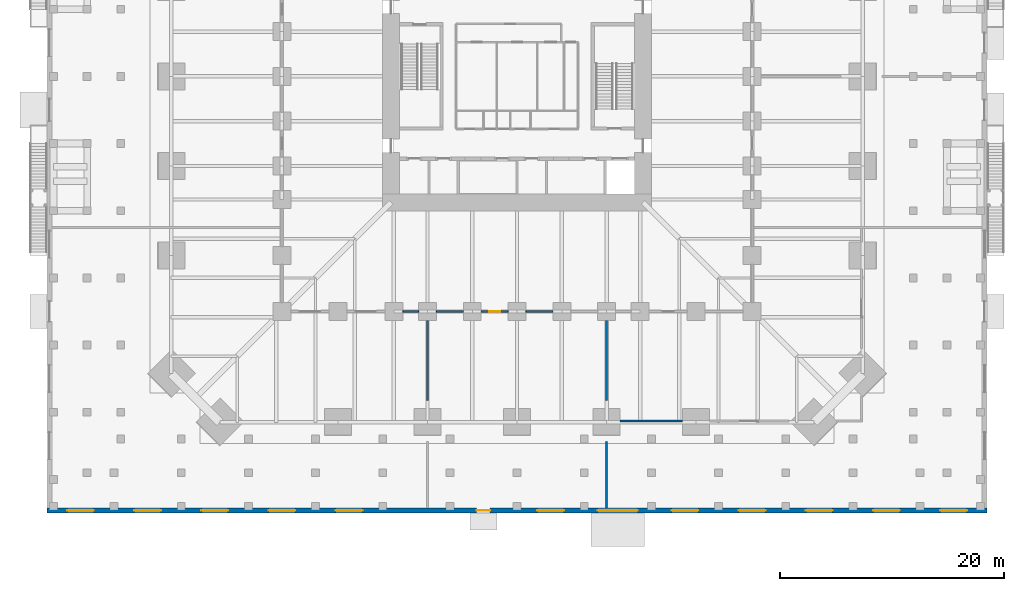
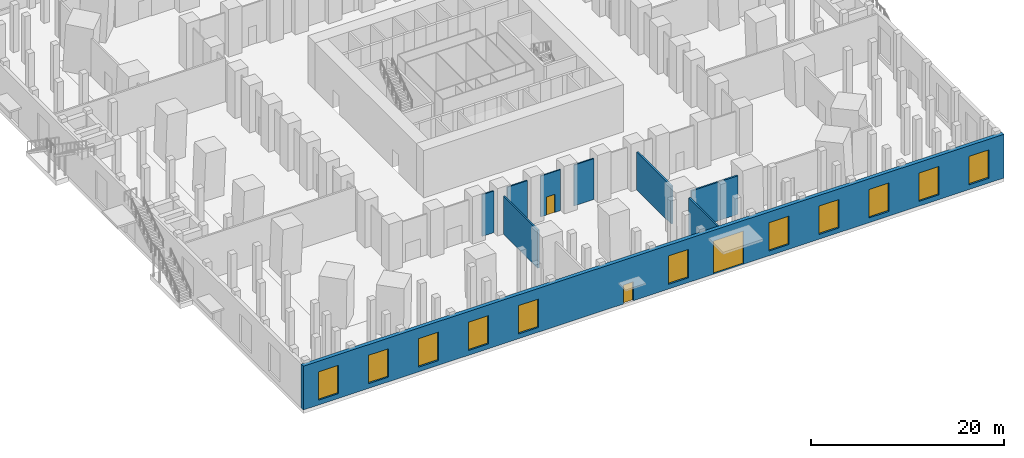
# One storey, part 11 of 20: 11 windows, 9 walls, 3 doors, 14 openings.
"""IFC4 building model written with IfcOpenShell, lengths in metres."""

import ifcopenshell
import ifcopenshell.guid

model = None  # the IFC model being written
_history = None  # IfcOwnerHistory: only IFC2X3 demands one
_inside = {}  # id of a spatial element -> (the spatial element, [elements in it])
_under = {}  # id of a project, library or spatial element -> (it, [spatial elements below it])
_declared = {}  # id of a project -> (the project, [libraries it declares])
_typed = {}  # id of a type object -> (the type object, [elements of that type])
_made_of = {}  # id of a material, layer set ... -> (it, [elements and type objects made of it])


def new_model(schema):
    """Start an empty IFC model of exactly this schema.

    Asked for "IFC4X3", IfcOpenShell would pick the latest addendum, in which some entities
    have other attributes; the version numbers below select the first issue.
    IFC2X3 requires an IfcOwnerHistory on every rooted entity: one is made here for all.
    """
    global model, _history
    if schema == "IFC4X3":
        model = ifcopenshell.file(schema_version=(4, 3, 0, 0))
    else:
        model = ifcopenshell.file(schema=schema)
    _inside.clear()
    _under.clear()
    _declared.clear()
    _typed.clear()
    _made_of.clear()
    _history = None
    if model.schema == "IFC2X3":
        org = make("IfcOrganization", Name="unknown")
        user = make(
            "IfcPersonAndOrganization",
            ThePerson=make("IfcPerson", FamilyName="unknown"),
            TheOrganization=org,
        )
        app = make(
            "IfcApplication",
            ApplicationDeveloper=org,
            Version="unknown",
            ApplicationFullName="unknown",
            ApplicationIdentifier="unknown",
        )
        _history = make(
            "IfcOwnerHistory",
            OwningUser=user,
            OwningApplication=app,
            ChangeAction="ADDED",
            CreationDate=0,
        )
    return model


def make(cls, **values):
    """One entity of the class cls with the attributes given. An attribute that is None is left unset."""
    return model.create_entity(
        cls, **{name: value for name, value in values.items() if value is not None}
    )


def rooted(cls, **values):
    """An entity with a GlobalId (a new one), such as an element, a storey or a relation."""
    return make(cls, GlobalId=ifcopenshell.guid.new(), OwnerHistory=_history, **values)


def si_unit(unit_type, name, prefix=None):
    """IfcSIUnit, for example si_unit("LENGTHUNIT", "METRE", prefix="MILLI")."""
    return make("IfcSIUnit", UnitType=unit_type, Prefix=prefix, Name=name)


def assignment(units):
    """IfcUnitAssignment: the units of a project."""
    return None if units is None else make("IfcUnitAssignment", Units=units)


def point(xyz):
    """IfcCartesianPoint."""
    return None if xyz is None else make("IfcCartesianPoint", Coordinates=xyz)


def direction(xyz):
    """IfcDirection."""
    return None if xyz is None else make("IfcDirection", DirectionRatios=xyz)


def frame(location, z_axis=None, x_axis=None):
    """IfcAxis2Placement3D, a coordinate frame: its origin and axes. An axis left out is left unset."""
    return make(
        "IfcAxis2Placement3D",
        Location=point(location),
        Axis=direction(z_axis),
        RefDirection=direction(x_axis),
    )


def frame_2d(location, x_axis=None):
    """IfcAxis2Placement2D, a coordinate frame in the plane: its origin and x axis."""
    return make(
        "IfcAxis2Placement2D", Location=point(location), RefDirection=direction(x_axis)
    )


def origin():
    """The frame at (0, 0, 0) with its axes left unset."""
    return frame((0.0, 0.0, 0.0))


def place(relative_to, where):
    """IfcLocalPlacement: puts the frame where relative to a parent placement (None: the world)."""
    return make(
        "IfcLocalPlacement", PlacementRelTo=relative_to, RelativePlacement=where
    )


def context(
    kind, dimensions, precision=None, world=None, true_north=None, identifier=None
):
    """IfcGeometricRepresentationContext, for example the 3D "Model" context."""
    return make(
        "IfcGeometricRepresentationContext",
        ContextIdentifier=identifier,
        ContextType=kind,
        CoordinateSpaceDimension=dimensions,
        Precision=precision,
        WorldCoordinateSystem=world,
        TrueNorth=true_north,
    )


def subcontext(parent, identifier, kind, view, scale=None):
    """IfcGeometricRepresentationSubContext, for example "Body" below "Model"."""
    return make(
        "IfcGeometricRepresentationSubContext",
        ContextIdentifier=identifier,
        ContextType=kind,
        ParentContext=parent,
        TargetScale=scale,
        TargetView=view,
    )


def project(units=None, contexts=None):
    """IfcProject with its units and contexts."""
    return rooted(
        "IfcProject",
        Name="project",
        RepresentationContexts=contexts,
        UnitsInContext=assignment(units),
    )


def spatial(cls, under=None, at=None, **own):
    """A site, building, storey or space (cls), placed at a placement, below another one or the project."""
    s = rooted(cls, ObjectPlacement=at, **own)
    if under is not None:
        _under.setdefault(under.id(), (under, []))[1].append(s)
    return s


def profile(cls, at=None, kind="AREA", **sizes):
    """A parametric profile (cls). Its sizes go by their IFC names, for example OverallWidth=200.0."""
    return make(cls, ProfileType=kind, Position=at, **sizes)


def rectangle(**sizes):
    """IfcRectangleProfileDef."""
    return profile("IfcRectangleProfileDef", **sizes)


def extrude(swept, where, along, depth):
    """IfcExtrudedAreaSolid: the profile swept, set in the frame where, extruded along a direction by depth."""
    return make(
        "IfcExtrudedAreaSolid",
        SweptArea=swept,
        Position=where,
        ExtrudedDirection=direction(along),
        Depth=depth,
    )


def shape(context_of_items, identifier, shape_type, items):
    """IfcShapeRepresentation: the items that make up one representation, for example the "Body"."""
    return make(
        "IfcShapeRepresentation",
        ContextOfItems=context_of_items,
        RepresentationIdentifier=identifier,
        RepresentationType=shape_type,
        Items=items,
    )


def material(Name=None, Category=None):
    """IfcMaterial."""
    return make("IfcMaterial", Name=Name, Category=Category)


def layer(
    of_material, thickness, ventilated=None, Name=None, Category=None, Priority=None
):
    """IfcMaterialLayer: one layer of a wall or slab, of a material (None: an air gap)."""
    return make(
        "IfcMaterialLayer",
        Material=of_material,
        LayerThickness=thickness,
        IsVentilated=ventilated,
        Name=Name,
        Category=Category,
        Priority=Priority,
    )


def layer_set(layers, Name=None):
    """IfcMaterialLayerSet."""
    return make("IfcMaterialLayerSet", MaterialLayers=layers, LayerSetName=Name)


def made_of(thing, what):
    """Note that an element or type object is made of a material, layer set ...; save() writes the relation."""
    if what is not None:
        _made_of.setdefault(what.id(), (what, []))[1].append(thing)
    return thing


def type_object(cls, material=None, **own):
    """A type object (cls), such as IfcWallType, which elements share."""
    return made_of(rooted(cls, **own), material)


def element(
    cls,
    number,
    at=None,
    inside=None,
    cuts=None,
    type_object=None,
    material=None,
    context=None,
    identifier="Body",
    shape_type=None,
    held_by="IfcProductDefinitionShape",
    body=None,
    shapes=None,
    **own,
):
    """One element of the class cls, such as IfcWall. Its Tag is "e" and its number.

    at: its placement. inside: the storey or other place that contains it. cuts: it is an
    opening in that element (IfcRelVoidsElement). A single representation is given by context,
    identifier, shape_type and body (its items); several are given by shapes. held_by: the class
    of the entity that holds the representations. save() writes the other relations.
    """
    e = rooted(cls, Tag="e%d" % number, ObjectPlacement=at, **own)
    if body is not None:
        shapes = [shape(context, identifier, shape_type, body)]
    if shapes is not None:
        e.Representation = make(held_by, Representations=shapes)
    if inside is not None:
        _inside.setdefault(inside.id(), (inside, []))[1].append(e)
    if cuts is not None:
        rooted(
            "IfcRelVoidsElement", RelatingBuildingElement=cuts, RelatedOpeningElement=e
        )
    if type_object is not None:
        _typed.setdefault(type_object.id(), (type_object, []))[1].append(e)
    return made_of(e, material)


def fill(opening, filler):
    """IfcRelFillsElement: the door or window that sits in an opening."""
    return rooted(
        "IfcRelFillsElement",
        RelatingOpeningElement=opening,
        RelatedBuildingElement=filler,
    )


def aggregate(whole, parts):
    """IfcRelAggregates: a whole, such as a stair, and the parts it consists of."""
    return rooted("IfcRelAggregates", RelatingObject=whole, RelatedObjects=parts)


def save(model, path):
    """Write the relations noted so far, then the file.

    IfcRelAggregates (storeys below a building ...), IfcRelContainedInSpatialStructure (elements
    in a storey), IfcRelDefinesByType, IfcRelAssociatesMaterial and IfcRelDeclares: one each for
    every whole, place, type object, material and project.
    """
    for whole, parts in _under.values():
        aggregate(whole, parts)
    for where, things in _inside.values():
        rooted(
            "IfcRelContainedInSpatialStructure",
            RelatedElements=things,
            RelatingStructure=where,
        )
    for kind, things in _typed.values():
        rooted("IfcRelDefinesByType", RelatedObjects=things, RelatingType=kind)
    for what, things in _made_of.values():
        rooted("IfcRelAssociatesMaterial", RelatedObjects=things, RelatingMaterial=what)
    for by, libraries in _declared.values():
        rooted("IfcRelDeclares", RelatingContext=by, RelatedDefinitions=libraries)
    model.write(path)


model = new_model("IFC4")

# Units and contexts
model_context = context("Model", 3, precision=1e-05, world=origin(), true_north=direction((0.0, 1.0)))
body_context = subcontext(model_context, "Body", "Model", "MODEL_VIEW")
ifc_project = project(units=[si_unit("LENGTHUNIT", "METRE"), si_unit("AREAUNIT", "SQUARE_METRE"), si_unit("VOLUMEUNIT", "CUBIC_METRE"), si_unit("PLANEANGLEUNIT", "RADIAN"), si_unit("MASSUNIT", "GRAM", prefix="KILO")], contexts=[model_context])

# Site, building, storey
site_placement = place(None, origin())
site = spatial("IfcSite", under=ifc_project, at=site_placement, CompositionType="ELEMENT")
building_placement = place(site_placement, origin())
building = spatial("IfcBuilding", under=site, at=building_placement, Name="Peilmerk Tower", CompositionType="ELEMENT")
storey_placement = place(building_placement, origin())
storey = spatial("IfcBuildingStorey", under=building, at=storey_placement, Name="L00", CompositionType="ELEMENT", Elevation=0.0)

# Wall, openings, doors, windows
ifc_material_1 = material(Name="Precast concrete C45/55, board-marked finish", Category="concrete")
ifc_layer_1 = layer(ifc_material_1, 0.449951171875)
ifc_layer_set_1 = layer_set([ifc_layer_1], Name="Precast concrete C45/55, board-marked finish")
wall_type_1 = type_object("IfcWallType", Name="EW1 450 precast concrete facade wall, board-marked", PredefinedType="SOLIDWALL", material=ifc_layer_set_1)
wall_1_placement = place(storey_placement, frame((42.0, -38.77490234375, 0.0), z_axis=(0.0, 0.0, 1.0), x_axis=(-1.0, 0.0, 0.0)))
wall_1 = element("IfcWall", 1, at=wall_1_placement, inside=storey, type_object=wall_type_1, Name="Facade wall S L00", PredefinedType="SOLIDWALL", context=body_context, shape_type="SweptSolid", body=[
    extrude(rectangle(XDim=84.0, YDim=0.449951171875, at=frame_2d((42.0, 0.0))), origin(), (0.0, 0.0, 1.0), 5.550048828125),
])
opening_1_placement = place(wall_1_placement, frame((1.800048828125, 0.0, 0.60009765625)))
opening_1 = element("IfcOpeningElement", 2, at=opening_1_placement, cuts=wall_1, Name="Opening W4", PredefinedType="OPENING", context=body_context, shape_type="SweptSolid", body=[
    extrude(rectangle(XDim=2.39990234375, YDim=3.60009765625, at=frame_2d((1.199951171875, 1.800048828125))), frame((0.0, 0.23486328125, 0.0), z_axis=(0.0, -1.0, 0.0), x_axis=(1.0, 0.0, 0.0)), (0.0, 0.0, 1.0), 0.469970703125),
])
opening_2_placement = place(wall_1_placement, frame((7.800048828125, 0.0, 0.60009765625)))
opening_2 = element("IfcOpeningElement", 3, at=opening_2_placement, cuts=wall_1, Name="Opening W4", PredefinedType="OPENING", context=body_context, shape_type="SweptSolid", body=[
    extrude(rectangle(XDim=2.39990234375, YDim=3.60009765625, at=frame_2d((1.199951171875, 1.800048828125))), frame((0.0, 0.23486328125, 0.0), z_axis=(0.0, -1.0, 0.0), x_axis=(1.0, 0.0, 0.0)), (0.0, 0.0, 1.0), 0.469970703125),
])
opening_3_placement = place(wall_1_placement, frame((13.800048828125, 0.0, 0.60009765625)))
opening_3 = element("IfcOpeningElement", 4, at=opening_3_placement, cuts=wall_1, Name="Opening W4", PredefinedType="OPENING", context=body_context, shape_type="SweptSolid", body=[
    extrude(rectangle(XDim=2.39990234375, YDim=3.60009765625, at=frame_2d((1.199951171875, 1.800048828125))), frame((0.0, 0.23486328125, 0.0), z_axis=(0.0, -1.0, 0.0), x_axis=(1.0, 0.0, 0.0)), (0.0, 0.0, 1.0), 0.469970703125),
])
opening_4_placement = place(wall_1_placement, frame((19.800048828125, 0.0, 0.60009765625)))
opening_4 = element("IfcOpeningElement", 5, at=opening_4_placement, cuts=wall_1, Name="Opening W4", PredefinedType="OPENING", context=body_context, shape_type="SweptSolid", body=[
    extrude(rectangle(XDim=2.39990234375, YDim=3.60009765625, at=frame_2d((1.199951171875, 1.800048828125))), frame((0.0, 0.23486328125, 0.0), z_axis=(0.0, -1.0, 0.0), x_axis=(1.0, 0.0, 0.0)), (0.0, 0.0, 1.0), 0.469970703125),
])
opening_5_placement = place(wall_1_placement, frame((25.800048828125, 0.0, 0.60009765625)))
opening_5 = element("IfcOpeningElement", 6, at=opening_5_placement, cuts=wall_1, Name="Opening W4", PredefinedType="OPENING", context=body_context, shape_type="SweptSolid", body=[
    extrude(rectangle(XDim=2.39990234375, YDim=3.60009765625, at=frame_2d((1.199951171875, 1.800048828125))), frame((0.0, 0.23486328125, 0.0), z_axis=(0.0, -1.0, 0.0), x_axis=(1.0, 0.0, 0.0)), (0.0, 0.0, 1.0), 0.469970703125),
])
opening_6_placement = place(wall_1_placement, frame((37.800048828125, 0.0, 0.60009765625)))
opening_6 = element("IfcOpeningElement", 7, at=opening_6_placement, cuts=wall_1, Name="Opening W4", PredefinedType="OPENING", context=body_context, shape_type="SweptSolid", body=[
    extrude(rectangle(XDim=2.39990234375, YDim=3.60009765625, at=frame_2d((1.199951171875, 1.800048828125))), frame((0.0, 0.23486328125, 0.0), z_axis=(0.0, -1.0, 0.0), x_axis=(1.0, 0.0, 0.0)), (0.0, 0.0, 1.0), 0.469970703125),
])
opening_7_placement = place(wall_1_placement, frame((55.800048828125, 0.0, 0.60009765625)))
opening_7 = element("IfcOpeningElement", 8, at=opening_7_placement, cuts=wall_1, Name="Opening W4", PredefinedType="OPENING", context=body_context, shape_type="SweptSolid", body=[
    extrude(rectangle(XDim=2.39990234375, YDim=3.60009765625, at=frame_2d((1.199951171875, 1.800048828125))), frame((0.0, 0.23486328125, 0.0), z_axis=(0.0, -1.0, 0.0), x_axis=(1.0, 0.0, 0.0)), (0.0, 0.0, 1.0), 0.469970703125),
])
opening_8_placement = place(wall_1_placement, frame((61.800048828125, 0.0, 0.60009765625)))
opening_8 = element("IfcOpeningElement", 9, at=opening_8_placement, cuts=wall_1, Name="Opening W4", PredefinedType="OPENING", context=body_context, shape_type="SweptSolid", body=[
    extrude(rectangle(XDim=2.39990234375, YDim=3.60009765625, at=frame_2d((1.199951171875, 1.800048828125))), frame((0.0, 0.23486328125, 0.0), z_axis=(0.0, -1.0, 0.0), x_axis=(1.0, 0.0, 0.0)), (0.0, 0.0, 1.0), 0.469970703125),
])
opening_9_placement = place(wall_1_placement, frame((67.800048828125, 0.0, 0.60009765625)))
opening_9 = element("IfcOpeningElement", 10, at=opening_9_placement, cuts=wall_1, Name="Opening W4", PredefinedType="OPENING", context=body_context, shape_type="SweptSolid", body=[
    extrude(rectangle(XDim=2.39990234375, YDim=3.60009765625, at=frame_2d((1.199951171875, 1.800048828125))), frame((0.0, 0.23486328125, 0.0), z_axis=(0.0, -1.0, 0.0), x_axis=(1.0, 0.0, 0.0)), (0.0, 0.0, 1.0), 0.469970703125),
])
opening_10_placement = place(wall_1_placement, frame((73.800048828125, 0.0, 0.60009765625)))
opening_10 = element("IfcOpeningElement", 11, at=opening_10_placement, cuts=wall_1, Name="Opening W4", PredefinedType="OPENING", context=body_context, shape_type="SweptSolid", body=[
    extrude(rectangle(XDim=2.39990234375, YDim=3.60009765625, at=frame_2d((1.199951171875, 1.800048828125))), frame((0.0, 0.23486328125, 0.0), z_axis=(0.0, -1.0, 0.0), x_axis=(1.0, 0.0, 0.0)), (0.0, 0.0, 1.0), 0.469970703125),
])
opening_11_placement = place(wall_1_placement, frame((79.800048828125, 0.0, 0.60009765625)))
opening_11 = element("IfcOpeningElement", 12, at=opening_11_placement, cuts=wall_1, Name="Opening W4", PredefinedType="OPENING", context=body_context, shape_type="SweptSolid", body=[
    extrude(rectangle(XDim=2.39990234375, YDim=3.60009765625, at=frame_2d((1.199951171875, 1.800048828125))), frame((0.0, 0.23486328125, 0.0), z_axis=(0.0, -1.0, 0.0), x_axis=(1.0, 0.0, 0.0)), (0.0, 0.0, 1.0), 0.469970703125),
])
opening_12_placement = place(wall_1_placement, frame((31.199951171875, 0.0, 0.0)))
opening_12 = element("IfcOpeningElement", 13, at=opening_12_placement, cuts=wall_1, Name="Opening ED2", PredefinedType="OPENING", context=body_context, shape_type="SweptSolid", body=[
    extrude(rectangle(XDim=3.60009765625, YDim=4.199951171875, at=frame_2d((1.800048828125, 2.10009765625))), frame((0.0, 0.23486328125, 0.0), z_axis=(0.0, -1.0, 0.0), x_axis=(1.0, 0.0, 0.0)), (0.0, 0.0, 1.0), 0.469970703125),
])
opening_13_placement = place(wall_1_placement, frame((44.39990234375, 0.0, 0.0)))
opening_13 = element("IfcOpeningElement", 14, at=opening_13_placement, cuts=wall_1, Name="Opening ED3", PredefinedType="OPENING", context=body_context, shape_type="SweptSolid", body=[
    extrude(rectangle(XDim=1.199951171875, YDim=2.39990234375, at=frame_2d((0.60009765625, 1.199951171875))), frame((0.0, 0.23486328125, 0.0), z_axis=(0.0, -1.0, 0.0), x_axis=(1.0, 0.0, 0.0)), (0.0, 0.0, 1.0), 0.469970703125),
])
ifc_material_2 = material(Name="Steel door", Category="steel")
door_type_1 = type_object("IfcDoorType", Name="ED2 3600x4200 loading dock door, sectional", OperationType="SLIDING_TO_LEFT", PredefinedType="DOOR", material=ifc_material_2)
door_1_placement = place(opening_12_placement, origin())
door_1 = element("IfcDoor", 15, at=door_1_placement, inside=storey, type_object=door_type_1, Name="Loading dock door, sectional L00", OperationType="SLIDING_TO_LEFT", OverallHeight=4.199951171875, OverallWidth=3.60009765625, PredefinedType="DOOR", context=body_context, shape_type="SweptSolid", body=[
    extrude(rectangle(XDim=3.60009765625, YDim=4.199951171875, at=frame_2d((1.800048828125, 2.10009765625))), frame((0.0, 0.02490234375, 0.0), z_axis=(0.0, -1.0, 0.0), x_axis=(1.0, 0.0, 0.0)), (0.0, 0.0, 1.0), 0.050048828125),
])
fill(opening_12, door_1)
door_type_2 = type_object("IfcDoorType", Name="ED3 1200x2400 external exit door", OperationType="SINGLE_SWING_RIGHT", PredefinedType="DOOR", material=ifc_material_2)
door_2_placement = place(opening_13_placement, origin())
door_2 = element("IfcDoor", 16, at=door_2_placement, inside=storey, type_object=door_type_2, Name="External exit door L00", OperationType="SINGLE_SWING_RIGHT", OverallHeight=2.39990234375, OverallWidth=1.199951171875, PredefinedType="DOOR", context=body_context, shape_type="SweptSolid", body=[
    extrude(rectangle(XDim=1.199951171875, YDim=2.39990234375, at=frame_2d((0.60009765625, 1.199951171875))), frame((0.0, 0.02490234375, 0.0), z_axis=(0.0, -1.0, 0.0), x_axis=(1.0, 0.0, 0.0)), (0.0, 0.0, 1.0), 0.050048828125),
])
fill(opening_13, door_2)
ifc_material_3 = material(Name="Aluminium frame, clear double glazing", Category="aluminium")
window_type = type_object("IfcWindowType", Name="W4 2400x3600 podium entrance glazing", PartitioningType="SINGLE_PANEL", PredefinedType="WINDOW", material=ifc_material_3)
window_1_placement = place(opening_1_placement, origin())
window_1 = element("IfcWindow", 17, at=window_1_placement, inside=storey, type_object=window_type, Name="Window W4 L00", OverallHeight=3.60009765625, OverallWidth=2.39990234375, PartitioningType="SINGLE_PANEL", PredefinedType="WINDOW", context=body_context, shape_type="SweptSolid", body=[
    extrude(rectangle(XDim=2.39990234375, YDim=3.60009765625, at=frame_2d((1.199951171875, 1.800048828125))), frame((0.0, 0.030029296875, 0.0), z_axis=(0.0, -1.0, 0.0), x_axis=(1.0, 0.0, 0.0)), (0.0, 0.0, 1.0), 0.06005859375),
])
fill(opening_1, window_1)
window_2_placement = place(opening_2_placement, origin())
window_2 = element("IfcWindow", 18, at=window_2_placement, inside=storey, type_object=window_type, Name="Window W4 L00", OverallHeight=3.60009765625, OverallWidth=2.39990234375, PartitioningType="SINGLE_PANEL", PredefinedType="WINDOW", context=body_context, shape_type="SweptSolid", body=[
    extrude(rectangle(XDim=2.39990234375, YDim=3.60009765625, at=frame_2d((1.199951171875, 1.800048828125))), frame((0.0, 0.030029296875, 0.0), z_axis=(0.0, -1.0, 0.0), x_axis=(1.0, 0.0, 0.0)), (0.0, 0.0, 1.0), 0.06005859375),
])
fill(opening_2, window_2)
window_3_placement = place(opening_3_placement, origin())
window_3 = element("IfcWindow", 19, at=window_3_placement, inside=storey, type_object=window_type, Name="Window W4 L00", OverallHeight=3.60009765625, OverallWidth=2.39990234375, PartitioningType="SINGLE_PANEL", PredefinedType="WINDOW", context=body_context, shape_type="SweptSolid", body=[
    extrude(rectangle(XDim=2.39990234375, YDim=3.60009765625, at=frame_2d((1.199951171875, 1.800048828125))), frame((0.0, 0.030029296875, 0.0), z_axis=(0.0, -1.0, 0.0), x_axis=(1.0, 0.0, 0.0)), (0.0, 0.0, 1.0), 0.06005859375),
])
fill(opening_3, window_3)
window_4_placement = place(opening_4_placement, origin())
window_4 = element("IfcWindow", 20, at=window_4_placement, inside=storey, type_object=window_type, Name="Window W4 L00", OverallHeight=3.60009765625, OverallWidth=2.39990234375, PartitioningType="SINGLE_PANEL", PredefinedType="WINDOW", context=body_context, shape_type="SweptSolid", body=[
    extrude(rectangle(XDim=2.39990234375, YDim=3.60009765625, at=frame_2d((1.199951171875, 1.800048828125))), frame((0.0, 0.030029296875, 0.0), z_axis=(0.0, -1.0, 0.0), x_axis=(1.0, 0.0, 0.0)), (0.0, 0.0, 1.0), 0.06005859375),
])
fill(opening_4, window_4)
window_5_placement = place(opening_5_placement, origin())
window_5 = element("IfcWindow", 21, at=window_5_placement, inside=storey, type_object=window_type, Name="Window W4 L00", OverallHeight=3.60009765625, OverallWidth=2.39990234375, PartitioningType="SINGLE_PANEL", PredefinedType="WINDOW", context=body_context, shape_type="SweptSolid", body=[
    extrude(rectangle(XDim=2.39990234375, YDim=3.60009765625, at=frame_2d((1.199951171875, 1.800048828125))), frame((0.0, 0.030029296875, 0.0), z_axis=(0.0, -1.0, 0.0), x_axis=(1.0, 0.0, 0.0)), (0.0, 0.0, 1.0), 0.06005859375),
])
fill(opening_5, window_5)
window_6_placement = place(opening_6_placement, origin())
window_6 = element("IfcWindow", 22, at=window_6_placement, inside=storey, type_object=window_type, Name="Window W4 L00", OverallHeight=3.60009765625, OverallWidth=2.39990234375, PartitioningType="SINGLE_PANEL", PredefinedType="WINDOW", context=body_context, shape_type="SweptSolid", body=[
    extrude(rectangle(XDim=2.39990234375, YDim=3.60009765625, at=frame_2d((1.199951171875, 1.800048828125))), frame((0.0, 0.030029296875, 0.0), z_axis=(0.0, -1.0, 0.0), x_axis=(1.0, 0.0, 0.0)), (0.0, 0.0, 1.0), 0.06005859375),
])
fill(opening_6, window_6)
window_7_placement = place(opening_7_placement, origin())
window_7 = element("IfcWindow", 23, at=window_7_placement, inside=storey, type_object=window_type, Name="Window W4 L00", OverallHeight=3.60009765625, OverallWidth=2.39990234375, PartitioningType="SINGLE_PANEL", PredefinedType="WINDOW", context=body_context, shape_type="SweptSolid", body=[
    extrude(rectangle(XDim=2.39990234375, YDim=3.60009765625, at=frame_2d((1.199951171875, 1.800048828125))), frame((0.0, 0.030029296875, 0.0), z_axis=(0.0, -1.0, 0.0), x_axis=(1.0, 0.0, 0.0)), (0.0, 0.0, 1.0), 0.06005859375),
])
fill(opening_7, window_7)
window_8_placement = place(opening_8_placement, origin())
window_8 = element("IfcWindow", 24, at=window_8_placement, inside=storey, type_object=window_type, Name="Window W4 L00", OverallHeight=3.60009765625, OverallWidth=2.39990234375, PartitioningType="SINGLE_PANEL", PredefinedType="WINDOW", context=body_context, shape_type="SweptSolid", body=[
    extrude(rectangle(XDim=2.39990234375, YDim=3.60009765625, at=frame_2d((1.199951171875, 1.800048828125))), frame((0.0, 0.030029296875, 0.0), z_axis=(0.0, -1.0, 0.0), x_axis=(1.0, 0.0, 0.0)), (0.0, 0.0, 1.0), 0.06005859375),
])
fill(opening_8, window_8)
window_9_placement = place(opening_9_placement, origin())
window_9 = element("IfcWindow", 25, at=window_9_placement, inside=storey, type_object=window_type, Name="Window W4 L00", OverallHeight=3.60009765625, OverallWidth=2.39990234375, PartitioningType="SINGLE_PANEL", PredefinedType="WINDOW", context=body_context, shape_type="SweptSolid", body=[
    extrude(rectangle(XDim=2.39990234375, YDim=3.60009765625, at=frame_2d((1.199951171875, 1.800048828125))), frame((0.0, 0.030029296875, 0.0), z_axis=(0.0, -1.0, 0.0), x_axis=(1.0, 0.0, 0.0)), (0.0, 0.0, 1.0), 0.06005859375),
])
fill(opening_9, window_9)
window_10_placement = place(opening_10_placement, origin())
window_10 = element("IfcWindow", 26, at=window_10_placement, inside=storey, type_object=window_type, Name="Window W4 L00", OverallHeight=3.60009765625, OverallWidth=2.39990234375, PartitioningType="SINGLE_PANEL", PredefinedType="WINDOW", context=body_context, shape_type="SweptSolid", body=[
    extrude(rectangle(XDim=2.39990234375, YDim=3.60009765625, at=frame_2d((1.199951171875, 1.800048828125))), frame((0.0, 0.030029296875, 0.0), z_axis=(0.0, -1.0, 0.0), x_axis=(1.0, 0.0, 0.0)), (0.0, 0.0, 1.0), 0.06005859375),
])
fill(opening_10, window_10)
window_11_placement = place(opening_11_placement, origin())
window_11 = element("IfcWindow", 27, at=window_11_placement, inside=storey, type_object=window_type, Name="Window W4 L00", OverallHeight=3.60009765625, OverallWidth=2.39990234375, PartitioningType="SINGLE_PANEL", PredefinedType="WINDOW", context=body_context, shape_type="SweptSolid", body=[
    extrude(rectangle(XDim=2.39990234375, YDim=3.60009765625, at=frame_2d((1.199951171875, 1.800048828125))), frame((0.0, 0.030029296875, 0.0), z_axis=(0.0, -1.0, 0.0), x_axis=(1.0, 0.0, 0.0)), (0.0, 0.0, 1.0), 0.06005859375),
])
fill(opening_11, window_11)

# Wall
ifc_material_4 = material(Name="Calcium silicate block", Category="masonry")
ifc_layer_2 = layer(ifc_material_4, 0.14990234375)
ifc_layer_set_2 = layer_set([ifc_layer_2], Name="Calcium silicate block")
wall_type_2 = type_object("IfcWallType", Name="IW1 150 corridor partition, EI 60", PredefinedType="PARTITIONING", material=ifc_layer_set_2)
wall_2_placement = place(storey_placement, frame((3.199951171875, -21.0, 0.0), z_axis=(0.0, 0.0, 1.0), x_axis=(-1.0, 0.0, 0.0)))
element("IfcWall", 28, at=wall_2_placement, inside=storey, type_object=wall_type_2, Name="Corridor wall Se L00", PredefinedType="PARTITIONING", context=body_context, shape_type="SweptSolid", body=[
    extrude(rectangle(XDim=2.39990234375, YDim=0.14990234375, at=frame_2d((1.199951171875, 0.0))), origin(), (0.0, 0.0, 1.0), 5.179931640625),
])

# Wall, opening, door
wall_3_placement = place(storey_placement, frame((-0.800048828125, -21.0, 0.0), z_axis=(0.0, 0.0, 1.0), x_axis=(-1.0, 0.0, 0.0)))
wall_3 = element("IfcWall", 29, at=wall_3_placement, inside=storey, type_object=wall_type_2, Name="Corridor wall Sf L00", PredefinedType="PARTITIONING", context=body_context, shape_type="SweptSolid", body=[
    extrude(rectangle(XDim=2.39990234375, YDim=0.14990234375, at=frame_2d((1.199951171875, 0.0))), origin(), (0.0, 0.0, 1.0), 5.179931640625),
])
opening_14_placement = place(wall_3_placement, frame((0.699951171875, 0.0, 0.0)))
opening_14 = element("IfcOpeningElement", 30, at=opening_14_placement, cuts=wall_3, Name="Opening D1", PredefinedType="OPENING", context=body_context, shape_type="SweptSolid", body=[
    extrude(rectangle(XDim=1.0, YDim=2.300048828125, at=frame_2d((0.5, 1.14990234375))), frame((0.0, 0.0849609375, 0.0), z_axis=(0.0, -1.0, 0.0), x_axis=(1.0, 0.0, 0.0)), (0.0, 0.0, 1.0), 0.169921875),
])
ifc_material_5 = material(Name="Timber door in steel frame", Category="steel")
door_type_3 = type_object("IfcDoorType", Name="D1 1000x2300 room door, EI2 30", OperationType="SINGLE_SWING_LEFT", PredefinedType="DOOR", material=ifc_material_5)
door_3_placement = place(opening_14_placement, origin())
door_3 = element("IfcDoor", 31, at=door_3_placement, inside=storey, type_object=door_type_3, Name="Door Goods receiving room L00", OperationType="SINGLE_SWING_LEFT", OverallHeight=2.300048828125, OverallWidth=1.0, PredefinedType="DOOR", context=body_context, shape_type="SweptSolid", body=[
    extrude(rectangle(XDim=1.0, YDim=2.300048828125, at=frame_2d((0.5, 1.14990234375))), frame((0.0, 0.02490234375, 0.0), z_axis=(0.0, -1.0, 0.0), x_axis=(1.0, 0.0, 0.0)), (0.0, 0.0, 1.0), 0.050048828125),
])
fill(opening_14, door_3)

# Walls
wall_4_placement = place(storey_placement, frame((-4.800048828125, -21.0, 0.0), z_axis=(0.0, 0.0, 1.0), x_axis=(-1.0, 0.0, 0.0)))
element("IfcWall", 32, at=wall_4_placement, inside=storey, type_object=wall_type_2, Name="Corridor wall Sg L00", PredefinedType="PARTITIONING", context=body_context, shape_type="SweptSolid", body=[
    extrude(rectangle(XDim=2.39990234375, YDim=0.14990234375, at=frame_2d((1.199951171875, 0.0))), origin(), (0.0, 0.0, 1.0), 5.179931640625),
])
wall_5_placement = place(storey_placement, frame((-8.800048828125, -21.0, 0.0), z_axis=(0.0, 0.0, 1.0), x_axis=(-1.0, 0.0, 0.0)))
element("IfcWall", 33, at=wall_5_placement, inside=storey, type_object=wall_type_2, Name="Corridor wall Sh L00", PredefinedType="PARTITIONING", context=body_context, shape_type="SweptSolid", body=[
    extrude(rectangle(XDim=1.39990234375, YDim=0.14990234375, at=frame_2d((0.699951171875, 0.0))), origin(), (0.0, 0.0, 1.0), 5.27587890625),
])
ifc_layer_3 = layer(ifc_material_4, 0.199951171875)
ifc_layer_set_3 = layer_set([ifc_layer_3], Name="Calcium silicate block")
wall_type_3 = type_object("IfcWallType", Name="IW2 200 room separating wall, EI 120", PredefinedType="PARTITIONING", material=ifc_layer_set_3)
for number, where, z_axis, x_axis, name in (
    (34, (-8.0, -21.800048828125, 0.0), (0.0, 0.0, 1.0), (0.0, -1.0, 0.0), "Room separating wall S1 L00"),
    (35, (8.0, -21.800048828125, 0.0), (0.0, 0.0, 1.0), (0.0, -1.0, 0.0), "Room separating wall S2 L00"),
):
    element("IfcWall", number, at=place(storey_placement, frame(where, z_axis=z_axis, x_axis=x_axis)), inside=storey, type_object=wall_type_3, Name=name, PredefinedType="PARTITIONING", context=body_context, shape_type="SweptSolid", body=[
        extrude(rectangle(XDim=7.15771484375, YDim=0.199951171875, at=frame_2d((3.578857421875, 0.0))), origin(), (0.0, 0.0, 1.0), 4.81005859375),
    ])
wall_6_placement = place(storey_placement, frame((8.0, -32.59375, 0.0), z_axis=(0.0, 0.0, 1.0), x_axis=(0.0, -1.0, 0.0)))
element("IfcWall", 36, at=wall_6_placement, inside=storey, type_object=wall_type_3, Name="Room separating wall S2b L00", PredefinedType="PARTITIONING", context=body_context, shape_type="SweptSolid", body=[
    extrude(rectangle(XDim=5.956298828125, YDim=0.199951171875, at=frame_2d((2.97802734375, 0.0))), origin(), (0.0, 0.0, 1.0), 5.550048828125),
])
wall_7_placement = place(storey_placement, frame((14.800048828125, -30.77587890625, 0.0), z_axis=(0.0, 0.0, 1.0), x_axis=(-1.0, 0.0, 0.0)))
element("IfcWall", 37, at=wall_7_placement, inside=storey, type_object=wall_type_3, Name="Room separating wall S3X012 L00", PredefinedType="PARTITIONING", context=body_context, shape_type="SweptSolid", body=[
    extrude(rectangle(XDim=5.60009765625, YDim=0.199951171875, at=frame_2d((2.800048828125, 0.0))), origin(), (0.0, 0.0, 1.0), 4.889892578125),
])

save(model, "model.ifc")
